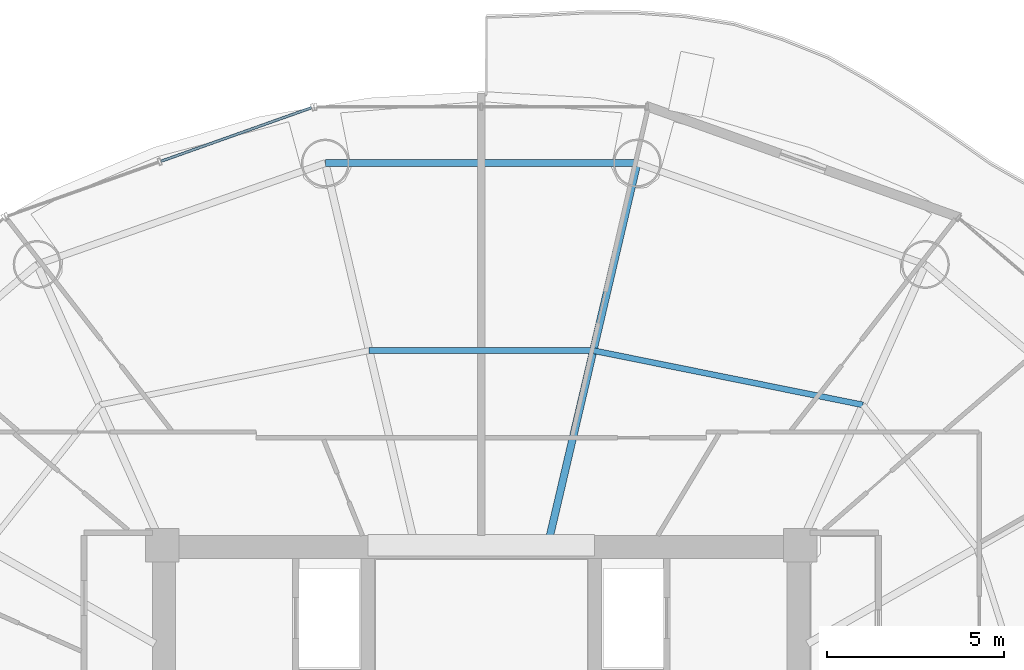
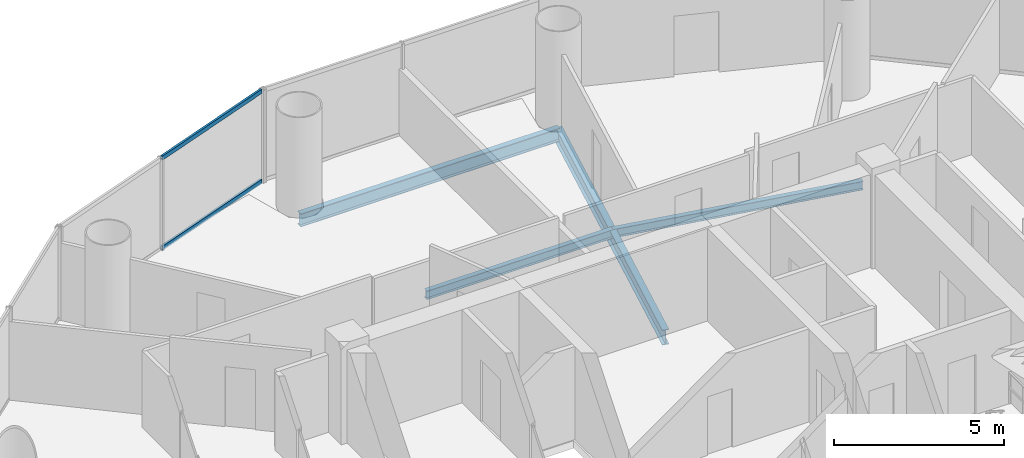
# One storey, part 16 of 27: 4 beams, 2 members, 1 element without a shape of its own.
"""IFC4 building model written with IfcOpenShell, lengths in metres."""

from ifc_helpers import new_model, si_unit, direction, frame, origin, origin_2d, place, context, subcontext, project, spatial, hollow_rectangle, i_section, extrude, source, transform, mapped, material, material_profile, profile_set, type_object, element, aggregate, save


model = new_model("IFC4")

# Units and contexts
model_context = context("Model", 3, precision=1e-05, world=origin(), true_north=direction((-0.2419218956, 0.970295726276)))
body_context = subcontext(model_context, "Body", "Model", "MODEL_VIEW")
ifc_project = project(units=[si_unit("LENGTHUNIT", "METRE"), si_unit("AREAUNIT", "SQUARE_METRE"), si_unit("VOLUMEUNIT", "CUBIC_METRE"), si_unit("PLANEANGLEUNIT", "RADIAN"), si_unit("MASSUNIT", "GRAM", prefix="KILO")], contexts=[model_context])

# Site, building, storey
site_placement = place(None, origin())
site = spatial("IfcSite", under=ifc_project, at=site_placement, CompositionType="ELEMENT")
building_placement = place(site_placement, origin())
building = spatial("IfcBuilding", under=site, at=building_placement, Name="Cobrevalo Terracotta Tower", CompositionType="ELEMENT")
storey_placement = place(building_placement, frame((0.0, 0.0, 164.199951171875)))
storey = spatial("IfcBuildingStorey", under=building, at=storey_placement, Name="L43", CompositionType="ELEMENT", Elevation=164.199951171875)

# Beams
ifc_material_1 = material(Name="Steel S355", Category="steel")
ifc_material_profile_1 = material_profile(ifc_material_1, i_section(OverallWidth=0.2109375, OverallDepth=0.5390625, WebThickness=0.01171875, FlangeThickness=0.018798828125, at=origin_2d()), Name="W 530x109")
ifc_profile_set_1 = profile_set([ifc_material_profile_1], Name="Steel S355")
beam_type_1 = type_object("IfcBeamType", Name="Structural Beam W 530x109 (Steel S355)", PredefinedType="BEAM", material=ifc_profile_set_1)
beam_1_placement = place(storey_placement, frame((42.399169921875, 45.58203125, -0.53955078125), z_axis=(-0.228040864186, -0.973651562039, 0.0), x_axis=(0.973651562039, -0.228040864186, 0.0)))
element("IfcBeam", 1, at=beam_1_placement, inside=storey, type_object=beam_type_1, Name="L43 radial floor girder 04", PredefinedType="BEAM", context=body_context, shape_type="SweptSolid", body=[
    extrude(i_section(OverallWidth=0.2109375, OverallDepth=0.5390625, WebThickness=0.01171875, FlangeThickness=0.018798828125, at=origin_2d()), origin(), (0.0, 0.0, 1.0), 10.86328125),
])
ifc_material_profile_2 = material_profile(ifc_material_1, i_section(OverallWidth=0.1650390625, OverallDepth=0.31005859375, WebThickness=0.005859375, FlangeThickness=0.009765625, at=origin_2d()), Name="W 310x38.7")
ifc_profile_set_2 = profile_set([ifc_material_profile_2], Name="Steel S355")
beam_type_2 = type_object("IfcBeamType", Name="Structural Joist W 310x38.7 (Steel S355)", PredefinedType="JOIST", material=ifc_profile_set_2)
beam_2_placement = place(storey_placement, frame((48.76416015625, 38.76123046875, -0.425048828125), z_axis=(-0.980293928329, 0.197544461026, 0.0), x_axis=(-0.197544461026, -0.980293928329, 0.0)))
element("IfcBeam", 2, at=beam_2_placement, inside=storey, type_object=beam_type_2, Name="L43 circumferential secondary floor joist 03", PredefinedType="JOIST", context=body_context, shape_type="SweptSolid", body=[
    extrude(i_section(OverallWidth=0.1650390625, OverallDepth=0.31005859375, WebThickness=0.005859375, FlangeThickness=0.009765625, at=origin_2d()), origin(), (0.0, 0.0, 1.0), 7.75634765625),
])
beam_3_placement = place(storey_placement, frame((41.16064453125, 40.29345703125, -0.425048828125), z_axis=(-1.0, 0.0, 0.0), x_axis=(0.0, -1.0, 0.0)))
element("IfcBeam", 3, at=beam_3_placement, inside=storey, type_object=beam_type_2, Name="L43 circumferential secondary floor joist 04", PredefinedType="JOIST", context=body_context, shape_type="SweptSolid", body=[
    extrude(i_section(OverallWidth=0.1650390625, OverallDepth=0.31005859375, WebThickness=0.005859375, FlangeThickness=0.009765625, at=origin_2d()), origin(), (0.0, 0.0, 1.0), 6.3212890625),
])
ifc_material_profile_3 = material_profile(ifc_material_1, i_section(OverallWidth=0.194091796875, OverallDepth=0.468994140625, WebThickness=0.011474609375, FlangeThickness=0.0205078125, at=origin_2d()), Name="W 460x106")
ifc_profile_set_3 = profile_set([ifc_material_profile_3], Name="Steel S355")
beam_type_3 = type_object("IfcBeamType", Name="Structural Spandrel W 460x106 (Steel S355)", PredefinedType="SPANDREL", material=ifc_profile_set_3)
beam_4_placement = place(storey_placement, frame((42.399169921875, 45.58203125, -0.50439453125), z_axis=(-1.0, 0.0, 0.0), x_axis=(0.0, -1.0, 0.0)))
element("IfcBeam", 4, at=beam_4_placement, inside=storey, type_object=beam_type_3, Name="L43 perimeter ring spandrel 04", PredefinedType="SPANDREL", context=body_context, shape_type="SweptSolid", body=[
    extrude(i_section(OverallWidth=0.194091796875, OverallDepth=0.468994140625, WebThickness=0.011474609375, FlangeThickness=0.0205078125, at=origin_2d()), origin(), (0.0, 0.0, 1.0), 8.79833984375),
])

# Curtain wall, members
ifc_material_2 = material(Name="Anodized aluminium", Category="aluminium")
curtain_wall_type = type_object("IfcCurtainWallType", Name="Mid-tower high-wind unitised curtain wall CW-U2", PredefinedType="NOTDEFINED", material=ifc_material_2)
curtain_wall_placement = place(storey_placement, origin())
curtain_wall = element("IfcCurtainWall", 5, at=curtain_wall_placement, inside=storey, type_object=curtain_wall_type, Name="L43 curtain wall CW-L43-S05", PredefinedType="NOTDEFINED")
ifc_material_profile_4 = material_profile(ifc_material_2, hollow_rectangle(XDim=0.074951171875, YDim=0.14990234375, WallThickness=0.00439453125, at=origin_2d()), Name="CWT 75x150")
ifc_profile_set_4 = profile_set([ifc_material_profile_4], Name="Anodized aluminium")
member_type = type_object("IfcMemberType", Name="Tower unitised aluminium transom 75x150", PredefinedType="USERDEFINED", material=ifc_profile_set_4)
shared_shape = source(origin(), body_context, "Body", "SweptSolid", [
    extrude(hollow_rectangle(XDim=0.074951171875, YDim=0.14990234375, WallThickness=0.00439453125, at=origin_2d()), origin(), (0.0, 0.0, 1.0), 4.50390625),
])
member_1_placement = place(storey_placement, frame((33.209228515625, 47.14404296875, 0.050048828125), z_axis=(-0.94210437316, -0.335319772863, 0.0), x_axis=(0.335319772863, -0.94210437316, 0.0)))
member_1 = element("IfcMember", 6, at=member_1_placement, type_object=member_type, Name="CW-L43-S05 transom B01-T1", ObjectType="TRANSOM", PredefinedType="USERDEFINED", context=body_context, shape_type="MappedRepresentation", body=[
    mapped(shared_shape, transform((0.0, 0.0, 0.0), scale=1.0)),
])
member_2_placement = place(storey_placement, frame((33.209228515625, 47.14404296875, 3.280029296875), z_axis=(-0.94210437316, -0.335319772863, 0.0), x_axis=(0.335319772863, -0.94210437316, 0.0)))
member_2 = element("IfcMember", 7, at=member_2_placement, type_object=member_type, Name="CW-L43-S05 transom B01-T2", ObjectType="TRANSOM", PredefinedType="USERDEFINED", context=body_context, shape_type="MappedRepresentation", body=[
    mapped(shared_shape, transform((0.0, 0.0, 0.0), scale=1.0)),
])
aggregate(curtain_wall, [member_1, member_2])

save(model, "model.ifc")
